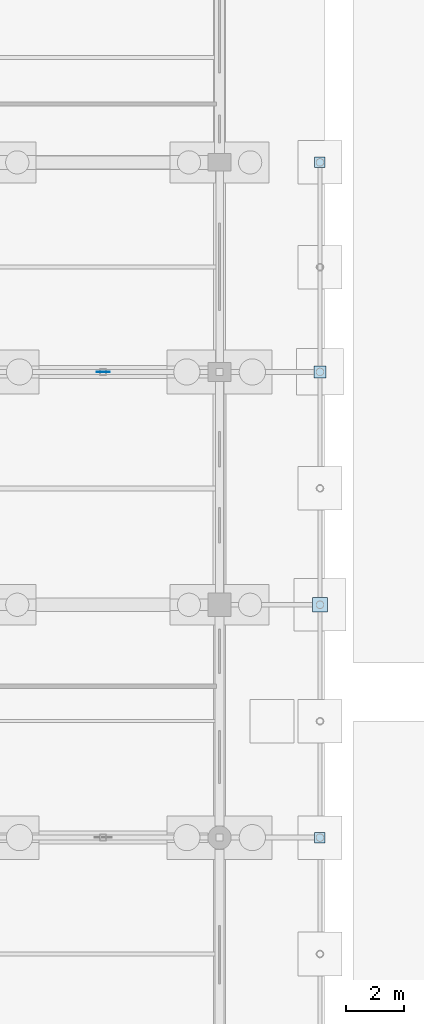
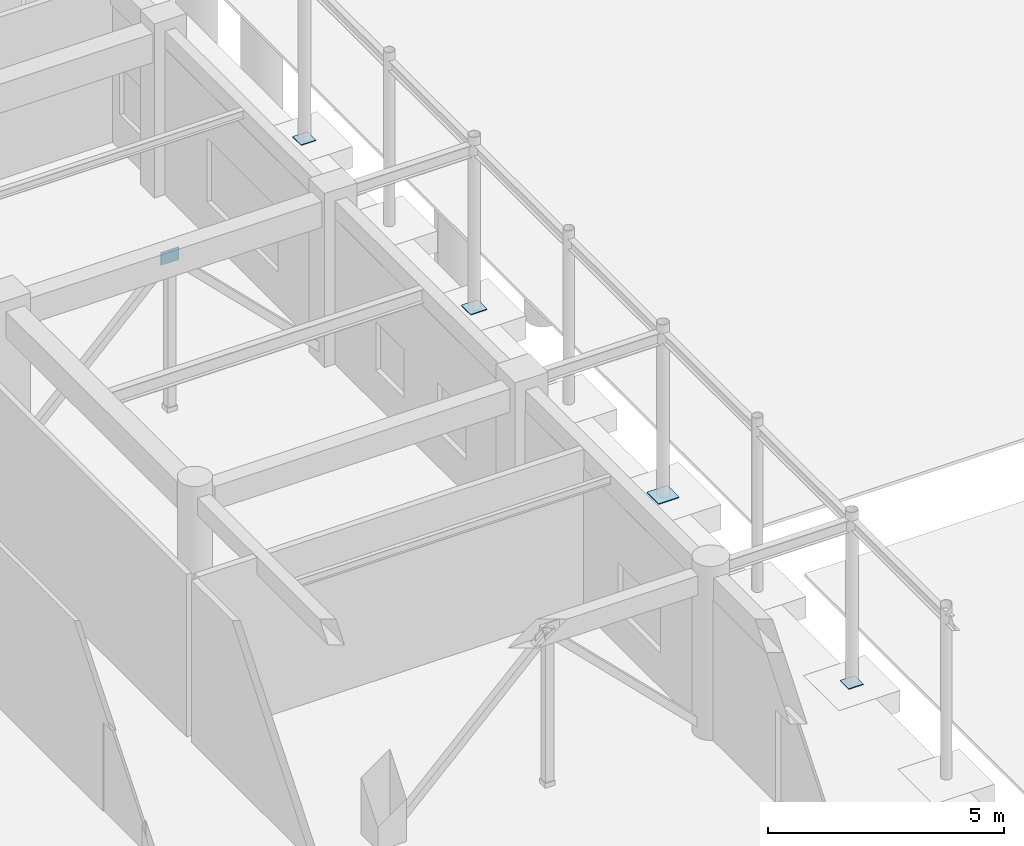
# One storey, part 122 of 166: 5 plates.
"""IFC4 building model written with IfcOpenShell, lengths in metres."""

from ifc_helpers import new_model, si_unit, direction, frame, origin, origin_2d, place, context, subcontext, project, spatial, rectangle, extrude, material, type_object, element, save


model = new_model("IFC4")

# Units and contexts
model_context = context("Model", 3, precision=1e-05, world=origin(), true_north=direction((0.0, 1.0)))
body_context = subcontext(model_context, "Body", "Model", "MODEL_VIEW")
ifc_project = project(units=[si_unit("LENGTHUNIT", "METRE"), si_unit("AREAUNIT", "SQUARE_METRE"), si_unit("VOLUMEUNIT", "CUBIC_METRE"), si_unit("PLANEANGLEUNIT", "RADIAN"), si_unit("MASSUNIT", "GRAM", prefix="KILO")], contexts=[model_context])

# Site, building, storey
site_placement = place(None, origin())
site = spatial("IfcSite", under=ifc_project, at=site_placement, CompositionType="ELEMENT")
building_placement = place(site_placement, origin())
building = spatial("IfcBuilding", under=site, at=building_placement, Name="Kharva Crest Polytechnic", CompositionType="ELEMENT")
storey_placement = place(building_placement, origin())
storey = spatial("IfcBuildingStorey", under=building, at=storey_placement, Name="L00", CompositionType="ELEMENT", Elevation=0.0)

# Plates
ifc_material = material(Name="Steel S355", Category="steel")
plate_type_1 = type_object("IfcPlateType", Name="PLT-BASE-360X360X20", PredefinedType="USERDEFINED", material=ifc_material)
for number, where, z_axis, x_axis, name in (
    (1, (51.449951171875, 62.800048828125, 0.0009765625), (0.0, 0.0, 1.0), (1.0, 0.0, 0.0), "L00 Colonnade Base Plate VW03"),
    (2, (51.449951171875, 86.0, 0.0009765625), (0.0, 0.0, 1.0), (1.0, 0.0, 0.0), "L00 Colonnade Base Plate VW06"),
):
    element("IfcPlate", number, at=place(storey_placement, frame(where, z_axis=z_axis, x_axis=x_axis)), inside=storey, type_object=plate_type_1, Name=name, ObjectType="BASE PLATE", PredefinedType="USERDEFINED", context=body_context, shape_type="SweptSolid", body=[
        extrude(rectangle(XDim=0.360107421875, YDim=0.360107421875, at=origin_2d()), origin(), (0.0, 0.0, 1.0), 0.02001953125),
    ])
plate_type_2 = type_object("IfcPlateType", Name="PLT-BASE-400X400X22", PredefinedType="USERDEFINED", material=ifc_material)
plate_1_placement = place(storey_placement, frame((51.449951171875, 78.800048828125, 0.0), z_axis=(0.0, 0.0, 1.0), x_axis=(1.0, 0.0, 0.0)))
element("IfcPlate", 3, at=plate_1_placement, inside=storey, type_object=plate_type_2, Name="L00 Colonnade Base Plate VW05", ObjectType="BASE PLATE", PredefinedType="USERDEFINED", context=body_context, shape_type="SweptSolid", body=[
    extrude(rectangle(XDim=0.39990234375, YDim=0.39990234375, at=origin_2d()), origin(), (0.0, 0.0, 1.0), 0.02197265625),
])
plate_type_3 = type_object("IfcPlateType", Name="PLT-BASE-500X500X25", PredefinedType="USERDEFINED", material=ifc_material)
plate_2_placement = place(storey_placement, frame((51.449951171875, 70.800048828125, -0.00146484375), z_axis=(0.0, 0.0, 1.0), x_axis=(1.0, 0.0, 0.0)))
element("IfcPlate", 4, at=plate_2_placement, inside=storey, type_object=plate_type_3, Name="L00 Colonnade Base Plate VW04", ObjectType="BASE PLATE", PredefinedType="USERDEFINED", context=body_context, shape_type="SweptSolid", body=[
    extrude(rectangle(XDim=0.5, YDim=0.5, at=origin_2d()), origin(), (0.0, 0.0, 1.0), 0.02490234375),
])
plate_type_4 = type_object("IfcPlateType", Name="PLT-GUS-440X330X14", PredefinedType="USERDEFINED", material=ifc_material)
plate_3_placement = place(storey_placement, frame((44.0, 78.800048828125, 3.784912109375), z_axis=(0.0, 0.0, 1.0), x_axis=(1.0, 0.0, 0.0)))
element("IfcPlate", 5, at=plate_3_placement, inside=storey, type_object=plate_type_4, Name="L00 Braced Frame Gusset Plate 4", ObjectType="GUSSET PLATE", PredefinedType="USERDEFINED", context=body_context, shape_type="SweptSolid", body=[
    extrude(rectangle(XDim=0.43994140625, YDim=0.013916015625, at=origin_2d()), origin(), (0.0, 0.0, 1.0), 0.330078125),
])

save(model, "model.ifc")
